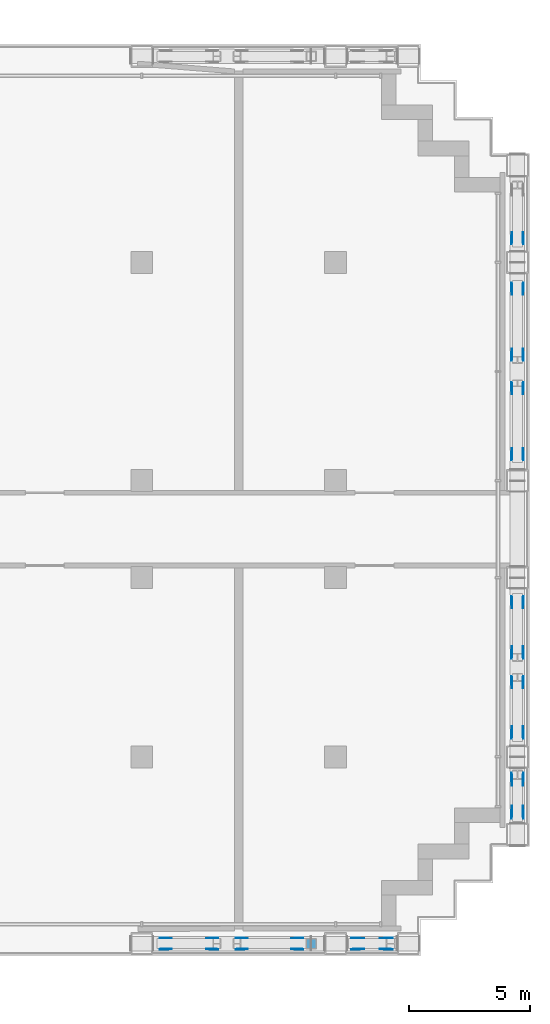
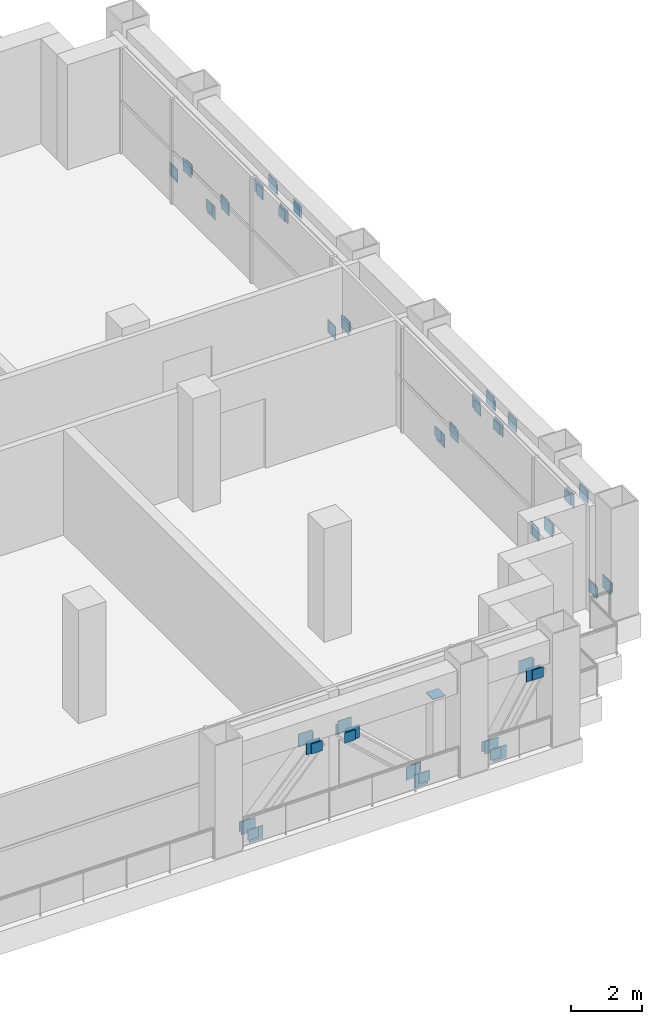
# One storey, part 15 of 19: 69 discrete accessories.
"""IFC4 building model written with IfcOpenShell, lengths in metres."""

from ifc_helpers import new_model, si_unit, direction, frame, origin, origin_2d, place, context, subcontext, project, spatial, rectangle, extrude, element, save


model = new_model("IFC4")

# Units and contexts
model_context = context("Model", 3, precision=1e-05, world=origin(), true_north=direction((0.0, 1.0)))
body_context = subcontext(model_context, "Body", "Model", "MODEL_VIEW")
ifc_project = project(units=[si_unit("LENGTHUNIT", "METRE"), si_unit("AREAUNIT", "SQUARE_METRE"), si_unit("VOLUMEUNIT", "CUBIC_METRE"), si_unit("PLANEANGLEUNIT", "RADIAN"), si_unit("MASSUNIT", "GRAM", prefix="KILO")], contexts=[model_context])

# Site, building, storey
site_placement = place(None, origin())
site = spatial("IfcSite", under=ifc_project, at=site_placement, CompositionType="ELEMENT")
building_placement = place(site_placement, origin())
building = spatial("IfcBuilding", under=site, at=building_placement, Name="Vidyagriha Tower", CompositionType="ELEMENT")
storey_placement = place(building_placement, frame((0.0, 0.0, 73.60009765625)))
storey = spatial("IfcBuildingStorey", under=building, at=storey_placement, Name="L18", CompositionType="ELEMENT", Elevation=73.60009765625)

# Discrete accessories
for number, where, name in (
    (1, (27.020263671875, -16.878173828125, 0.0), "Truss gusset plate ASTM A572 Grade 50 20mm"),
    (2, (27.020263671875, -17.32177734375, 0.0), "Truss gusset plate ASTM A572 Grade 50 20mm"),
    (3, (28.8798828125, -16.878173828125, 2.3701171875), "Truss gusset plate ASTM A572 Grade 50 20mm"),
    (4, (28.8798828125, -17.32177734375, 2.3701171875), "Truss gusset plate ASTM A572 Grade 50 20mm"),
    (5, (30.15966796875, -16.878173828125, 2.3701171875), "Truss gusset plate ASTM A572 Grade 50 20mm"),
    (6, (30.15966796875, -17.32177734375, 2.3701171875), "Truss gusset plate ASTM A572 Grade 50 20mm"),
    (7, (32.390380859375, -16.878173828125, 0.0), "Truss gusset plate ASTM A572 Grade 50 20mm"),
    (8, (32.390380859375, -17.32177734375, 0.0), "Truss gusset plate ASTM A572 Grade 50 20mm"),
    (9, (34.947265625, -16.878173828125, 0.0), "Truss gusset plate ASTM A572 Grade 50 20mm"),
    (10, (34.947265625, -17.32177734375, 0.0), "Truss gusset plate ASTM A572 Grade 50 20mm"),
    (11, (36.052734375, -16.878173828125, 2.3701171875), "Truss gusset plate ASTM A572 Grade 50 20mm"),
    (12, (36.052734375, -17.32177734375, 2.3701171875), "Truss gusset plate ASTM A572 Grade 50 20mm"),
):
    element("IfcDiscreteAccessory", number, at=place(storey_placement, frame(where)), inside=storey, Name=name, ObjectType="GUSSET PLATE", PredefinedType="USERDEFINED", context=body_context, shape_type="SweptSolid", body=[
        extrude(rectangle(XDim=0.449951171875, YDim=0.02001953125, at=origin_2d()), origin(), (0.0, 0.0, 1.0), 0.449951171875),
    ])
for number, where, z_axis, x_axis, name in (
    (13, (41.278076171875, -11.637451171875, 0.0), (0.0, 0.0, 1.0), (0.0, 1.0, 0.0), "Truss gusset plate ASTM A572 Grade 50 20mm"),
    (14, (41.721923828125, -11.637451171875, 0.0), (0.0, 0.0, 1.0), (0.0, 1.0, 0.0), "Truss gusset plate ASTM A572 Grade 50 20mm"),
    (15, (41.278076171875, -10.362548828125, 2.3701171875), (0.0, 0.0, 1.0), (0.0, 1.0, 0.0), "Truss gusset plate ASTM A572 Grade 50 20mm"),
    (16, (41.721923828125, -10.362548828125, 2.3701171875), (0.0, 0.0, 1.0), (0.0, 1.0, 0.0), "Truss gusset plate ASTM A572 Grade 50 20mm"),
    (17, (41.278076171875, -8.3623046875, 0.0), (0.0, 0.0, 1.0), (0.0, 1.0, 0.0), "Truss gusset plate ASTM A572 Grade 50 20mm"),
    (18, (41.721923828125, -8.3623046875, 0.0), (0.0, 0.0, 1.0), (0.0, 1.0, 0.0), "Truss gusset plate ASTM A572 Grade 50 20mm"),
    (19, (41.278076171875, -6.337646484375, 2.3701171875), (0.0, 0.0, 1.0), (0.0, 1.0, 0.0), "Truss gusset plate ASTM A572 Grade 50 20mm"),
    (20, (41.721923828125, -6.337646484375, 2.3701171875), (0.0, 0.0, 1.0), (0.0, 1.0, 0.0), "Truss gusset plate ASTM A572 Grade 50 20mm"),
    (21, (41.278076171875, -5.0625, 2.3701171875), (0.0, 0.0, 1.0), (0.0, 1.0, 0.0), "Truss gusset plate ASTM A572 Grade 50 20mm"),
    (22, (41.721923828125, -5.0625, 2.3701171875), (0.0, 0.0, 1.0), (0.0, 1.0, 0.0), "Truss gusset plate ASTM A572 Grade 50 20mm"),
    (23, (41.278076171875, -3.03759765625, 0.0), (0.0, 0.0, 1.0), (0.0, 1.0, 0.0), "Truss gusset plate ASTM A572 Grade 50 20mm"),
    (24, (41.721923828125, -3.03759765625, 0.0), (0.0, 0.0, 1.0), (0.0, 1.0, 0.0), "Truss gusset plate ASTM A572 Grade 50 20mm"),
    (25, (41.278076171875, 3.108642578125, 0.0), (0.0, 0.0, 1.0), (0.0, 1.0, 0.0), "Truss gusset plate ASTM A572 Grade 50 20mm"),
    (26, (41.721923828125, 3.108642578125, 0.0), (0.0, 0.0, 1.0), (0.0, 1.0, 0.0), "Truss gusset plate ASTM A572 Grade 50 20mm"),
    (27, (41.278076171875, 5.79150390625, 2.3701171875), (0.0, 0.0, 1.0), (0.0, 1.0, 0.0), "Truss gusset plate ASTM A572 Grade 50 20mm"),
    (28, (41.721923828125, 5.79150390625, 2.3701171875), (0.0, 0.0, 1.0), (0.0, 1.0, 0.0), "Truss gusset plate ASTM A572 Grade 50 20mm"),
    (29, (41.278076171875, 7.20849609375, 2.3701171875), (0.0, 0.0, 1.0), (0.0, 1.0, 0.0), "Truss gusset plate ASTM A572 Grade 50 20mm"),
    (30, (41.721923828125, 7.20849609375, 2.3701171875), (0.0, 0.0, 1.0), (0.0, 1.0, 0.0), "Truss gusset plate ASTM A572 Grade 50 20mm"),
    (31, (41.278076171875, 9.891357421875, 0.0), (0.0, 0.0, 1.0), (0.0, 1.0, 0.0), "Truss gusset plate ASTM A572 Grade 50 20mm"),
    (32, (41.721923828125, 9.891357421875, 0.0), (0.0, 0.0, 1.0), (0.0, 1.0, 0.0), "Truss gusset plate ASTM A572 Grade 50 20mm"),
    (33, (41.278076171875, 12.02880859375, 0.0), (0.0, 0.0, 1.0), (0.0, 1.0, 0.0), "Truss gusset plate ASTM A572 Grade 50 20mm"),
    (34, (41.721923828125, 12.02880859375, 0.0), (0.0, 0.0, 1.0), (0.0, 1.0, 0.0), "Truss gusset plate ASTM A572 Grade 50 20mm"),
):
    element("IfcDiscreteAccessory", number, at=place(storey_placement, frame(where, z_axis=z_axis, x_axis=x_axis)), inside=storey, Name=name, ObjectType="GUSSET PLATE", PredefinedType="USERDEFINED", context=body_context, shape_type="SweptSolid", body=[
        extrude(rectangle(XDim=0.449951171875, YDim=0.02001953125, at=origin_2d()), origin(), (0.0, 0.0, 1.0), 0.449951171875),
    ])
for number, where, z_axis, x_axis, name in (
    (35, (26.913818359375, -17.34228515625, 0.111083984375), (0.0, 0.0, 1.0), (-1.0, 0.0, 0.0), "End plate ASTM A572 Grade 50 20mm"),
    (36, (26.913818359375, -16.857666015625, 0.111083984375), (0.0, 0.0, 1.0), (-1.0, 0.0, 0.0), "End plate ASTM A572 Grade 50 20mm"),
):
    element("IfcDiscreteAccessory", number, at=place(storey_placement, frame(where, z_axis=z_axis, x_axis=x_axis)), inside=storey, Name=name, ObjectType="END PLATE", PredefinedType="USERDEFINED", context=body_context, shape_type="SweptSolid", body=[
        extrude(rectangle(XDim=0.35009765625, YDim=0.02001953125, at=origin_2d()), origin(), (0.0, 0.0, 1.0), 0.35009765625),
    ])
for number, where, name in (
    (37, (28.986083984375, -16.857666015625, 2.358642578125), "End plate ASTM A572 Grade 50 20mm"),
    (38, (28.986083984375, -17.34228515625, 2.358642578125), "End plate ASTM A572 Grade 50 20mm"),
):
    element("IfcDiscreteAccessory", number, at=place(storey_placement, frame(where)), inside=storey, Name=name, ObjectType="END PLATE", PredefinedType="USERDEFINED", context=body_context, shape_type="SweptSolid", body=[
        extrude(rectangle(XDim=0.35009765625, YDim=0.02001953125, at=origin_2d()), origin(), (0.0, 0.0, 1.0), 0.35009765625),
    ])
for number, where, z_axis, x_axis, name in (
    (39, (30.06298828125, -17.34228515625, 2.35546875), (0.0, 0.0, 1.0), (-1.0, 0.0, 0.0), "End plate ASTM A572 Grade 50 20mm"),
    (40, (30.06298828125, -16.857666015625, 2.35546875), (0.0, 0.0, 1.0), (-1.0, 0.0, 0.0), "End plate ASTM A572 Grade 50 20mm"),
):
    element("IfcDiscreteAccessory", number, at=place(storey_placement, frame(where, z_axis=z_axis, x_axis=x_axis)), inside=storey, Name=name, ObjectType="END PLATE", PredefinedType="USERDEFINED", context=body_context, shape_type="SweptSolid", body=[
        extrude(rectangle(XDim=0.35009765625, YDim=0.02001953125, at=origin_2d()), origin(), (0.0, 0.0, 1.0), 0.35009765625),
    ])
for number, where, name in (
    (41, (32.48681640625, -16.857666015625, 0.1142578125), "End plate ASTM A572 Grade 50 20mm"),
    (42, (32.48681640625, -17.34228515625, 0.1142578125), "End plate ASTM A572 Grade 50 20mm"),
):
    element("IfcDiscreteAccessory", number, at=place(storey_placement, frame(where)), inside=storey, Name=name, ObjectType="END PLATE", PredefinedType="USERDEFINED", context=body_context, shape_type="SweptSolid", body=[
        extrude(rectangle(XDim=0.35009765625, YDim=0.02001953125, at=origin_2d()), origin(), (0.0, 0.0, 1.0), 0.35009765625),
    ])
for number, where, z_axis, x_axis, name in (
    (43, (34.812744140625, -17.34228515625, 0.0947265625), (0.0, 0.0, 1.0), (-1.0, 0.0, 0.0), "End plate ASTM A572 Grade 50 20mm"),
    (44, (34.812744140625, -16.857666015625, 0.0947265625), (0.0, 0.0, 1.0), (-1.0, 0.0, 0.0), "End plate ASTM A572 Grade 50 20mm"),
):
    element("IfcDiscreteAccessory", number, at=place(storey_placement, frame(where, z_axis=z_axis, x_axis=x_axis)), inside=storey, Name=name, ObjectType="END PLATE", PredefinedType="USERDEFINED", context=body_context, shape_type="SweptSolid", body=[
        extrude(rectangle(XDim=0.35009765625, YDim=0.02001953125, at=origin_2d()), origin(), (0.0, 0.0, 1.0), 0.35009765625),
    ])
for number, where, name in (
    (45, (36.187255859375, -16.857666015625, 2.375), "End plate ASTM A572 Grade 50 20mm"),
    (46, (36.187255859375, -17.34228515625, 2.375), "End plate ASTM A572 Grade 50 20mm"),
):
    element("IfcDiscreteAccessory", number, at=place(storey_placement, frame(where)), inside=storey, Name=name, ObjectType="END PLATE", PredefinedType="USERDEFINED", context=body_context, shape_type="SweptSolid", body=[
        extrude(rectangle(XDim=0.35009765625, YDim=0.02001953125, at=origin_2d()), origin(), (0.0, 0.0, 1.0), 0.35009765625),
    ])
discrete_accessory_placement = place(storey_placement, frame((33.0, -17.10009765625, 2.80029296875)))
element("IfcDiscreteAccessory", 47, at=discrete_accessory_placement, inside=storey, Name="End plate ASTM A572 Grade 50 20mm", ObjectType="END PLATE", PredefinedType="USERDEFINED", context=body_context, shape_type="SweptSolid", body=[
    extrude(rectangle(XDim=0.406494140625, YDim=0.406494140625, at=origin_2d()), origin(), (0.0, 0.0, 1.0), 0.02001953125),
])
for number, where, z_axis, x_axis, name in (
    (48, (41.742431640625, -11.7646484375, 0.099853515625), (0.0, 0.0, 1.0), (0.0, -1.0, 0.0), "End plate ASTM A572 Grade 50 20mm"),
    (49, (41.257568359375, -11.7646484375, 0.099853515625), (0.0, 0.0, 1.0), (0.0, -1.0, 0.0), "End plate ASTM A572 Grade 50 20mm"),
    (50, (41.257568359375, -10.2353515625, 2.369873046875), (0.0, 0.0, 1.0), (0.0, 1.0, 0.0), "End plate ASTM A572 Grade 50 20mm"),
    (51, (41.742431640625, -10.2353515625, 2.369873046875), (0.0, 0.0, 1.0), (0.0, 1.0, 0.0), "End plate ASTM A572 Grade 50 20mm"),
    (52, (41.742431640625, -8.464111328125, 0.11279296875), (0.0, 0.0, 1.0), (0.0, -1.0, 0.0), "End plate ASTM A572 Grade 50 20mm"),
    (53, (41.257568359375, -8.464111328125, 0.11279296875), (0.0, 0.0, 1.0), (0.0, -1.0, 0.0), "End plate ASTM A572 Grade 50 20mm"),
    (54, (41.257568359375, -6.23583984375, 2.35693359375), (0.0, 0.0, 1.0), (0.0, 1.0, 0.0), "End plate ASTM A572 Grade 50 20mm"),
    (55, (41.742431640625, -6.23583984375, 2.35693359375), (0.0, 0.0, 1.0), (0.0, 1.0, 0.0), "End plate ASTM A572 Grade 50 20mm"),
    (56, (41.742431640625, -5.1640625, 2.35693359375), (0.0, 0.0, 1.0), (0.0, -1.0, 0.0), "End plate ASTM A572 Grade 50 20mm"),
    (57, (41.257568359375, -5.1640625, 2.35693359375), (0.0, 0.0, 1.0), (0.0, -1.0, 0.0), "End plate ASTM A572 Grade 50 20mm"),
    (58, (41.257568359375, -2.935791015625, 0.11279296875), (0.0, 0.0, 1.0), (0.0, 1.0, 0.0), "End plate ASTM A572 Grade 50 20mm"),
    (59, (41.742431640625, -2.935791015625, 0.11279296875), (0.0, 0.0, 1.0), (0.0, 1.0, 0.0), "End plate ASTM A572 Grade 50 20mm"),
    (60, (41.742431640625, 3.021484375, 0.11572265625), (0.0, 0.0, 1.0), (0.0, -1.0, 0.0), "End plate ASTM A572 Grade 50 20mm"),
    (61, (41.257568359375, 3.021484375, 0.11572265625), (0.0, 0.0, 1.0), (0.0, -1.0, 0.0), "End plate ASTM A572 Grade 50 20mm"),
    (62, (41.257568359375, 5.878662109375, 2.35400390625), (0.0, 0.0, 1.0), (0.0, 1.0, 0.0), "End plate ASTM A572 Grade 50 20mm"),
    (63, (41.742431640625, 5.878662109375, 2.35400390625), (0.0, 0.0, 1.0), (0.0, 1.0, 0.0), "End plate ASTM A572 Grade 50 20mm"),
    (64, (41.742431640625, 7.121337890625, 2.35400390625), (0.0, 0.0, 1.0), (0.0, -1.0, 0.0), "End plate ASTM A572 Grade 50 20mm"),
    (65, (41.257568359375, 7.121337890625, 2.35400390625), (0.0, 0.0, 1.0), (0.0, -1.0, 0.0), "End plate ASTM A572 Grade 50 20mm"),
    (66, (41.257568359375, 9.978515625, 0.11572265625), (0.0, 0.0, 1.0), (0.0, 1.0, 0.0), "End plate ASTM A572 Grade 50 20mm"),
    (67, (41.742431640625, 9.978515625, 0.11572265625), (0.0, 0.0, 1.0), (0.0, 1.0, 0.0), "End plate ASTM A572 Grade 50 20mm"),
    (68, (41.742431640625, 11.9248046875, 0.112060546875), (0.0, 0.0, 1.0), (0.0, -1.0, 0.0), "End plate ASTM A572 Grade 50 20mm"),
    (69, (41.257568359375, 11.9248046875, 0.112060546875), (0.0, 0.0, 1.0), (0.0, -1.0, 0.0), "End plate ASTM A572 Grade 50 20mm"),
):
    element("IfcDiscreteAccessory", number, at=place(storey_placement, frame(where, z_axis=z_axis, x_axis=x_axis)), inside=storey, Name=name, ObjectType="END PLATE", PredefinedType="USERDEFINED", context=body_context, shape_type="SweptSolid", body=[
        extrude(rectangle(XDim=0.35009765625, YDim=0.02001953125, at=origin_2d()), origin(), (0.0, 0.0, 1.0), 0.35009765625),
    ])

save(model, "model.ifc")
